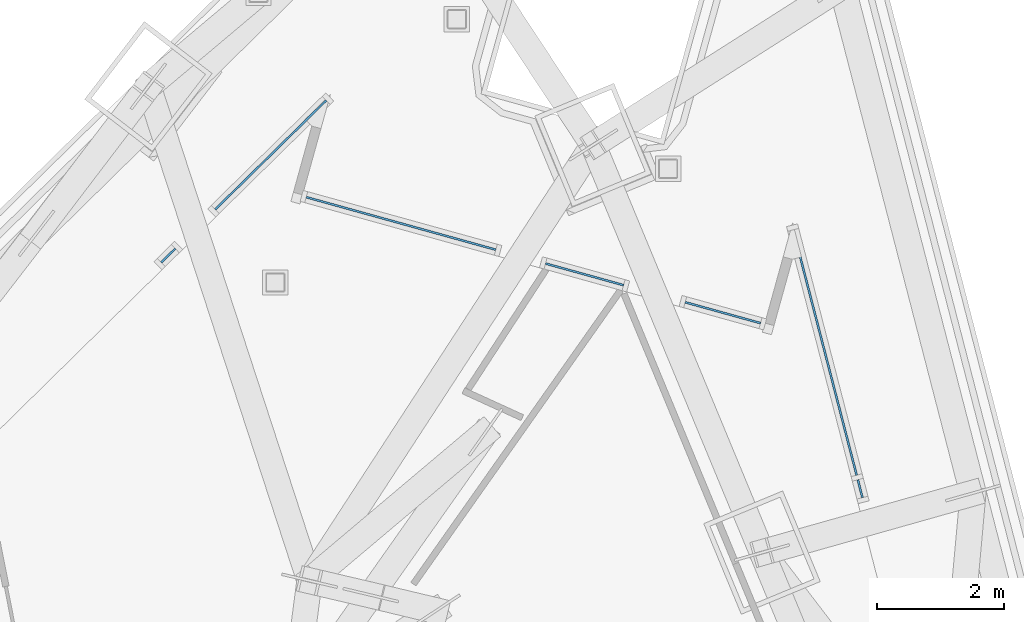
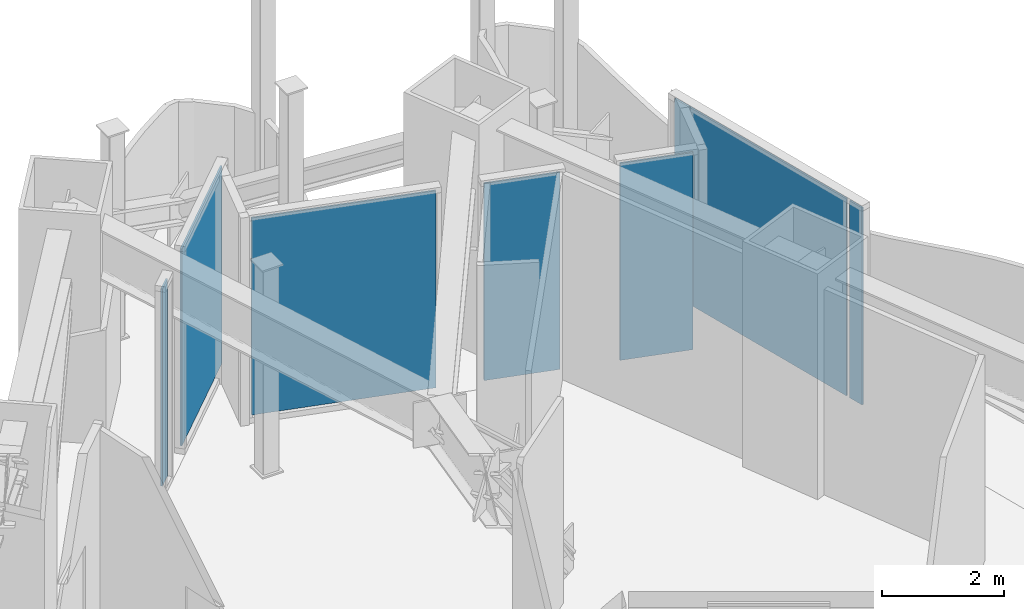
# One storey, part 9 of 22: 7 plates, 6 elements without a shape of their own.
"""IFC4 building model written with IfcOpenShell, lengths in metres."""

from ifc_helpers import new_model, si_unit, direction, frame, origin, origin_2d, place, context, subcontext, project, spatial, rectangle, extrude, material, layer, layer_set, type_object, element, aggregate, save


model = new_model("IFC4")

# Units and contexts
model_context = context("Model", 3, precision=1e-05, world=origin(), true_north=direction((0.0, 1.0)))
body_context = subcontext(model_context, "Body", "Model", "MODEL_VIEW")
ifc_project = project(units=[si_unit("LENGTHUNIT", "METRE"), si_unit("AREAUNIT", "SQUARE_METRE"), si_unit("VOLUMEUNIT", "CUBIC_METRE"), si_unit("PLANEANGLEUNIT", "RADIAN"), si_unit("MASSUNIT", "GRAM", prefix="KILO")], contexts=[model_context])

# Site, building, storey
site_placement = place(None, origin())
site = spatial("IfcSite", under=ifc_project, at=site_placement, CompositionType="ELEMENT")
building_placement = place(site_placement, origin())
building = spatial("IfcBuilding", under=site, at=building_placement, Name="Trine Commons Tower", CompositionType="ELEMENT")
storey_placement = place(building_placement, frame((0.0, 0.0, 267.300048828125)))
storey = spatial("IfcBuildingStorey", under=building, at=storey_placement, Name="L70", CompositionType="ELEMENT", Elevation=267.300048828125)

# Curtain wall, plate
ifc_material_1 = material(Name="Sky lounge glazing: anodised aluminium frame with low-emissivity double glazed unit, solar control", Category="aluminium")
ifc_layer_1 = layer(ifc_material_1, 0.179931640625)
ifc_layer_set_1 = layer_set([ifc_layer_1], Name="Sky lounge glazing: anodised aluminium frame with low-emissivity double glazed unit, solar control")
curtain_wall_type = type_object("IfcCurtainWallType", Name="Sky lounge glazing curtain wall CW5", PredefinedType="NOTDEFINED", material=ifc_layer_set_1)
curtain_wall_1_placement = place(storey_placement, origin())
curtain_wall_1 = element("IfcCurtainWall", 1, at=curtain_wall_1_placement, inside=storey, type_object=curtain_wall_type, Name="Sky lounge glazing L70 F1.2", PredefinedType="NOTDEFINED")
ifc_material_2 = material(Name="Low-emissivity double glazed unit, solar control")
ifc_layer_2 = layer(ifc_material_2, 0.031982421875)
ifc_layer_set_2 = layer_set([ifc_layer_2], Name="Low-emissivity double glazed unit, solar control")
plate_type = type_object("IfcPlateType", Name="Double glazed unit 32 mm (sky floors)", PredefinedType="CURTAIN_PANEL", material=ifc_layer_set_2)
plate_1_placement = place(storey_placement, frame((79.69482421875, 82.27392578125, 0.10986328125), z_axis=(0.0, 0.0, 1.0), x_axis=(0.713250449154, 0.7009092643, 0.0)))
plate_1 = element("IfcPlate", 2, at=plate_1_placement, type_object=plate_type, Name="CW5 panel 1.1", PredefinedType="CURTAIN_PANEL", context=body_context, shape_type="SweptSolid", body=[
    extrude(rectangle(XDim=0.31005859375, YDim=0.031982421875, at=origin_2d()), origin(), (0.0, 0.0, 1.0), 3.929931640625),
])
aggregate(curtain_wall_1, [plate_1])

curtain_wall_2_placement = place(storey_placement, origin())
curtain_wall_2 = element("IfcCurtainWall", 3, at=curtain_wall_2_placement, inside=storey, type_object=curtain_wall_type, Name="Sky lounge glazing L70 F1.3", PredefinedType="NOTDEFINED")
plate_2_placement = place(storey_placement, frame((81.31298828125, 83.864013671875, 0.10986328125), z_axis=(0.0, 0.0, 1.0), x_axis=(0.713250449154, 0.7009092643, 0.0)))
plate_2 = element("IfcPlate", 4, at=plate_2_placement, type_object=plate_type, Name="CW5 panel 1.1", PredefinedType="CURTAIN_PANEL", context=body_context, shape_type="SweptSolid", body=[
    extrude(rectangle(XDim=2.461181640625, YDim=0.031982421875, at=origin_2d()), origin(), (0.0, 0.0, 1.0), 3.929931640625),
])
aggregate(curtain_wall_2, [plate_2])

curtain_wall_3_placement = place(storey_placement, origin())
curtain_wall_3 = element("IfcCurtainWall", 5, at=curtain_wall_3_placement, inside=storey, type_object=curtain_wall_type, Name="Sky lounge glazing L70 P1.1", PredefinedType="NOTDEFINED")
plate_3_placement = place(storey_placement, frame((83.372314453125, 82.78173828125, 0.10986328125), z_axis=(0.0, 0.0, 1.0), x_axis=(0.963630453209, -0.267238376078, 0.0)))
plate_3 = element("IfcPlate", 6, at=plate_3_placement, type_object=plate_type, Name="CW5 panel 1.1", PredefinedType="CURTAIN_PANEL", context=body_context, shape_type="SweptSolid", body=[
    extrude(rectangle(XDim=3.109130859375, YDim=0.031982421875, at=origin_2d()), origin(), (0.0, 0.0, 1.0), 3.929931640625),
])
aggregate(curtain_wall_3, [plate_3])

curtain_wall_4_placement = place(storey_placement, origin())
curtain_wall_4 = element("IfcCurtainWall", 7, at=curtain_wall_4_placement, inside=storey, type_object=curtain_wall_type, Name="Sky lounge glazing L70 P1.2", PredefinedType="NOTDEFINED")
plate_4_placement = place(storey_placement, frame((86.272705078125, 81.977294921875, 0.10986328125), z_axis=(0.0, 0.0, 1.0), x_axis=(0.963630453209, -0.267238376078, 0.0)))
plate_4 = element("IfcPlate", 8, at=plate_4_placement, type_object=plate_type, Name="CW5 panel 1.1", PredefinedType="CURTAIN_PANEL", context=body_context, shape_type="SweptSolid", body=[
    extrude(rectangle(XDim=1.279296875, YDim=0.031982421875, at=origin_2d()), origin(), (0.0, 0.0, 1.0), 3.929931640625),
])
aggregate(curtain_wall_4, [plate_4])

curtain_wall_5_placement = place(storey_placement, origin())
curtain_wall_5 = element("IfcCurtainWall", 9, at=curtain_wall_5_placement, inside=storey, type_object=curtain_wall_type, Name="Sky lounge glazing L70 P1.3", PredefinedType="NOTDEFINED")
plate_5_placement = place(storey_placement, frame((88.457763671875, 81.37158203125, 0.10986328125), z_axis=(0.0, 0.0, 1.0), x_axis=(0.963630453209, -0.267238376078, 0.0)))
plate_5 = element("IfcPlate", 10, at=plate_5_placement, type_object=plate_type, Name="CW5 panel 1.1", PredefinedType="CURTAIN_PANEL", context=body_context, shape_type="SweptSolid", body=[
    extrude(rectangle(XDim=1.23583984375, YDim=0.031982421875, at=origin_2d()), origin(), (0.0, 0.0, 1.0), 3.929931640625),
])
aggregate(curtain_wall_5, [plate_5])

# Curtain wall, plates
curtain_wall_6_placement = place(storey_placement, origin())
curtain_wall_6 = element("IfcCurtainWall", 11, at=curtain_wall_6_placement, inside=storey, type_object=curtain_wall_type, Name="Sky lounge glazing L70 F2.1", PredefinedType="NOTDEFINED")
plate_6_placement = place(storey_placement, frame((90.071044921875, 80.7421875, 0.10986328125), z_axis=(0.0, 0.0, 1.0), x_axis=(0.250380004054, -0.968147640378, 0.0)))
plate_6 = element("IfcPlate", 12, at=plate_6_placement, type_object=plate_type, Name="CW5 panel 1.1", PredefinedType="CURTAIN_PANEL", context=body_context, shape_type="SweptSolid", body=[
    extrude(rectangle(XDim=4.003662109375, YDim=0.031982421875, at=origin_2d()), origin(), (0.0, 0.0, 1.0), 3.929931640625),
])
plate_7_placement = place(storey_placement, frame((90.62744140625, 78.590087890625, 0.10986328125), z_axis=(0.0, 0.0, 1.0), x_axis=(0.250380004054, -0.968147640378, 0.0)))
plate_7 = element("IfcPlate", 13, at=plate_7_placement, type_object=plate_type, Name="CW5 panel 2.1", PredefinedType="CURTAIN_PANEL", context=body_context, shape_type="SweptSolid", body=[
    extrude(rectangle(XDim=0.2919921875, YDim=0.031982421875, at=origin_2d()), origin(), (0.0, 0.0, 1.0), 3.929931640625),
])
aggregate(curtain_wall_6, [plate_6, plate_7])

save(model, "model.ifc")
